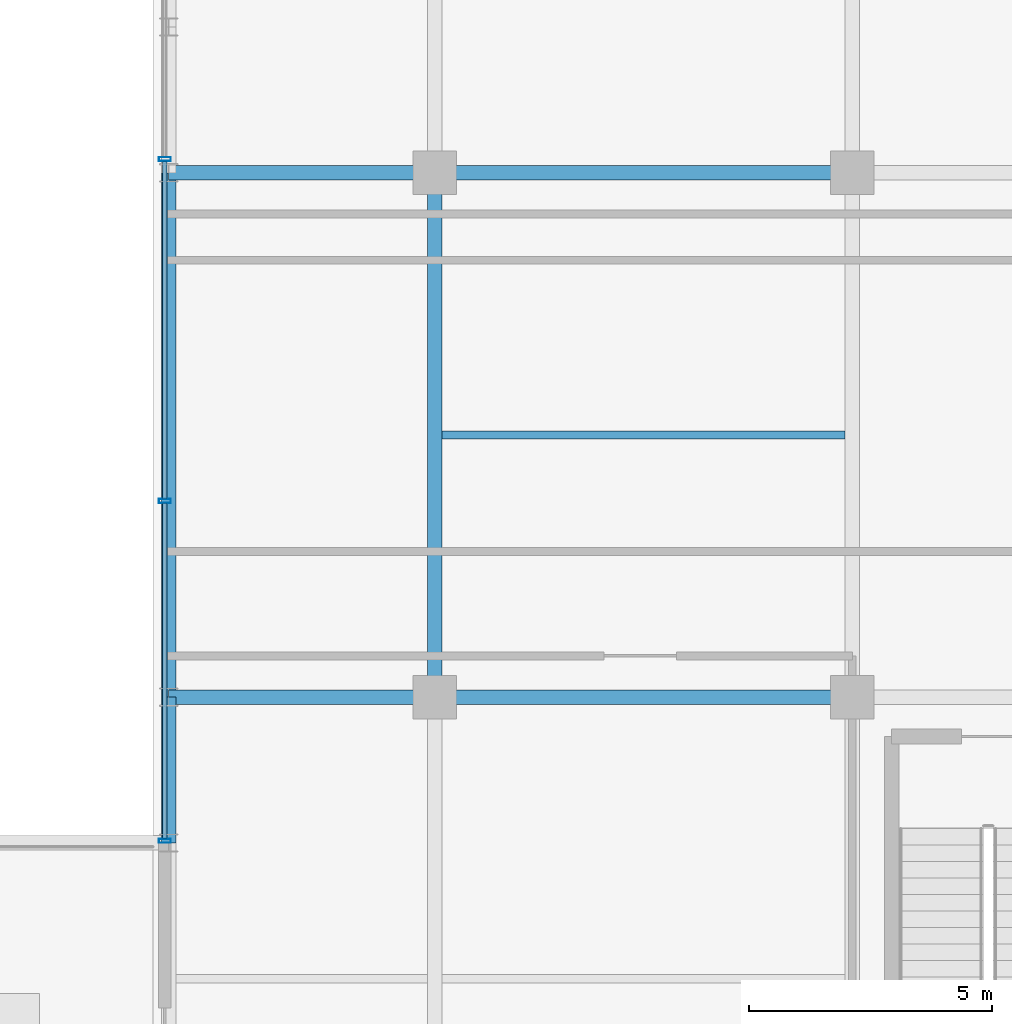
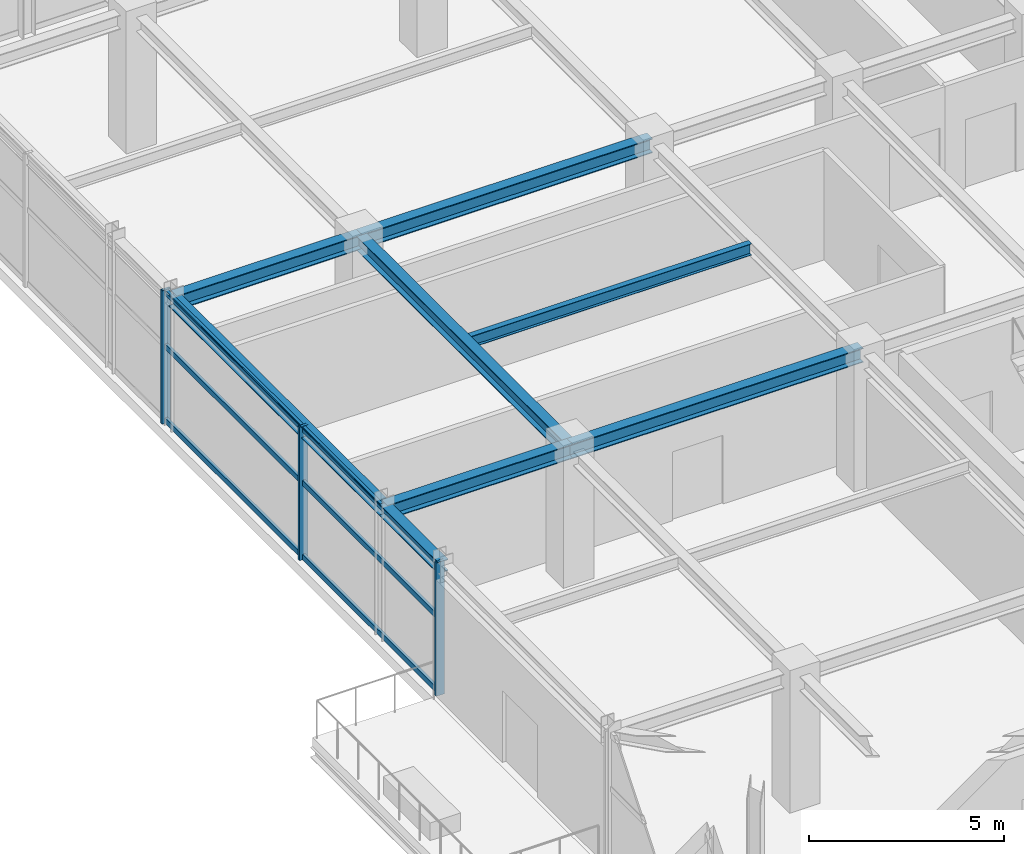
# One storey, part 8 of 25: 9 members, 8 beams, 1 element without a shape of its own.
"""IFC4 building model written with IfcOpenShell, lengths in metres."""

from ifc_helpers import new_model, si_unit, direction, frame, origin, origin_2d, place, context, subcontext, project, spatial, hollow_rectangle, i_section, extrude, source, transform, mapped, material, material_profile, profile_set, type_object, element, aggregate, save


model = new_model("IFC4")

# Units and contexts
model_context = context("Model", 3, precision=1e-05, world=origin(), true_north=direction((0.0, 1.0)))
body_context = subcontext(model_context, "Body", "Model", "MODEL_VIEW")
ifc_project = project(units=[si_unit("LENGTHUNIT", "METRE"), si_unit("AREAUNIT", "SQUARE_METRE"), si_unit("VOLUMEUNIT", "CUBIC_METRE"), si_unit("PLANEANGLEUNIT", "RADIAN"), si_unit("MASSUNIT", "GRAM", prefix="KILO")], contexts=[model_context])

# Site, building, storey
site_placement = place(None, origin())
site = spatial("IfcSite", under=ifc_project, at=site_placement, CompositionType="ELEMENT")
building_placement = place(site_placement, origin())
building = spatial("IfcBuilding", under=site, at=building_placement, Name="Nahalor Promenade Grand Hotel", CompositionType="ELEMENT")
storey_placement = place(building_placement, frame((0.0, 0.0, 338.550048828125)))
storey = spatial("IfcBuildingStorey", under=building, at=storey_placement, Name="L87", CompositionType="ELEMENT", Elevation=338.550048828125)

# Beams
ifc_material_1 = material(Name="Steel S355JR", Category="steel")
ifc_material_profile_1 = material_profile(ifc_material_1, i_section(OverallWidth=0.3, OverallDepth=0.45, WebThickness=0.014, FlangeThickness=0.026, at=origin_2d()), Name="HEB 450")
ifc_profile_set_1 = profile_set([ifc_material_profile_1], Name="Steel S355JR")
beam_type_1 = type_object("IfcBeamType", Name="Beam-Girder-HEB450", PredefinedType="BEAM", material=ifc_profile_set_1)
shared_shape_1 = source(origin(), body_context, "Body", "SweptSolid", [
    extrude(i_section(OverallWidth=0.3, OverallDepth=0.45, WebThickness=0.014, FlangeThickness=0.026, at=origin_2d()), origin(), (0.0, 0.0, 1.0), 8.60009765625),
])
for number, where, z_axis, x_axis, name in (
    (1, (-17.0, -5.39990234375, 3.945068359375), (1.0, 0.0, 0.0), (0.0, 1.0, 0.0), "BM-L87-GX-1-1"),
    (2, (-17.0, 5.39990234375, 3.945068359375), (1.0, 0.0, 0.0), (0.0, 1.0, 0.0), "BM-L87-GX-2-1"),
):
    element("IfcBeam", number, at=place(storey_placement, frame(where, z_axis=z_axis, x_axis=x_axis)), inside=storey, type_object=beam_type_1, Name=name, PredefinedType="BEAM", context=body_context, shape_type="MappedRepresentation", body=[
        mapped(shared_shape_1, transform((0.0, 0.0, 0.0), scale=1.0)),
    ])
shared_shape_2 = source(origin(), body_context, "Body", "SweptSolid", [
    extrude(i_section(OverallWidth=0.3, OverallDepth=0.45, WebThickness=0.014, FlangeThickness=0.026, at=origin_2d()), origin(), (0.0, 0.0, 1.0), 10.7998046875),
])
beam_1_placement = place(storey_placement, frame((-17.0, -5.39990234375, 3.945068359375), z_axis=(0.0, 1.0, 0.0), x_axis=(-1.0, 0.0, 0.0)))
element("IfcBeam", 3, at=beam_1_placement, inside=storey, type_object=beam_type_1, Name="BM-L87-GY-0-2", PredefinedType="BEAM", context=body_context, shape_type="MappedRepresentation", body=[
    mapped(shared_shape_2, transform((0.0, 0.0, 0.0), scale=1.0)),
])
shared_shape_3 = source(origin(), body_context, "Body", "SweptSolid", [
    extrude(i_section(OverallWidth=0.3, OverallDepth=0.45, WebThickness=0.014, FlangeThickness=0.026, at=origin_2d()), origin(), (0.0, 0.0, 1.0), 5.47998046875),
])
for number, where, z_axis, x_axis, name in (
    (4, (-22.47998046875, -5.39990234375, 3.945068359375), (1.0, 0.0, 0.0), (0.0, 1.0, 0.0), "BM-L87-GX-1-0"),
    (5, (-22.47998046875, 5.39990234375, 3.945068359375), (1.0, 0.0, 0.0), (0.0, 1.0, 0.0), "BM-L87-GX-2-0"),
):
    element("IfcBeam", number, at=place(storey_placement, frame(where, z_axis=z_axis, x_axis=x_axis)), inside=storey, type_object=beam_type_1, Name=name, PredefinedType="BEAM", context=body_context, shape_type="MappedRepresentation", body=[
        mapped(shared_shape_3, transform((0.0, 0.0, 0.0), scale=1.0)),
    ])
ifc_material_profile_2 = material_profile(ifc_material_1, i_section(OverallWidth=0.3, OverallDepth=0.36, WebThickness=0.0125, FlangeThickness=0.0225, at=origin_2d()), Name="HEB 360")
ifc_profile_set_2 = profile_set([ifc_material_profile_2], Name="Steel S355JR")
beam_type_2 = type_object("IfcBeamType", Name="Beam-Spandrel-HEB360", PredefinedType="SPANDREL", material=ifc_profile_set_2)
shared_shape_4 = source(origin(), body_context, "Body", "SweptSolid", [
    extrude(i_section(OverallWidth=0.3, OverallDepth=0.36, WebThickness=0.0125, FlangeThickness=0.0225, at=origin_2d()), origin(), (0.0, 0.0, 1.0), 3.0),
])
beam_2_placement = place(storey_placement, frame((-22.47998046875, -8.39990234375, 3.989990234375), z_axis=(0.0, 1.0, 0.0), x_axis=(-1.0, 0.0, 0.0)))
element("IfcBeam", 6, at=beam_2_placement, inside=storey, type_object=beam_type_2, Name="BM-L87-SP-W-1", PredefinedType="SPANDREL", context=body_context, shape_type="MappedRepresentation", body=[
    mapped(shared_shape_4, transform((0.0, 0.0, 0.0), scale=1.0)),
])
shared_shape_5 = source(origin(), body_context, "Body", "SweptSolid", [
    extrude(i_section(OverallWidth=0.3, OverallDepth=0.36, WebThickness=0.0125, FlangeThickness=0.0225, at=origin_2d()), origin(), (0.0, 0.0, 1.0), 10.7998046875),
])
beam_3_placement = place(storey_placement, frame((-22.47998046875, -5.39990234375, 3.989990234375), z_axis=(0.0, 1.0, 0.0), x_axis=(-1.0, 0.0, 0.0)))
element("IfcBeam", 7, at=beam_3_placement, inside=storey, type_object=beam_type_2, Name="BM-L87-SP-W-2", PredefinedType="SPANDREL", context=body_context, shape_type="MappedRepresentation", body=[
    mapped(shared_shape_5, transform((0.0, 0.0, 0.0), scale=1.0)),
])
ifc_material_profile_3 = material_profile(ifc_material_1, i_section(OverallWidth=0.17, OverallDepth=0.36, WebThickness=0.008, FlangeThickness=0.0127, at=origin_2d()), Name="IPE 360")
ifc_profile_set_3 = profile_set([ifc_material_profile_3], Name="Steel S355JR")
beam_type_3 = type_object("IfcBeamType", Name="Beam-Joist-IPE360", PredefinedType="JOIST", material=ifc_profile_set_3)
shared_shape_6 = source(origin(), body_context, "Body", "SweptSolid", [
    extrude(i_section(OverallWidth=0.17, OverallDepth=0.36, WebThickness=0.008, FlangeThickness=0.0127, at=origin_2d()), origin(), (0.0, 0.0, 1.0), 8.300048828125),
])
beam_4_placement = place(storey_placement, frame((-16.85009765625, 0.0, 3.989990234375), z_axis=(1.0, 0.0, 0.0), x_axis=(0.0, 1.0, 0.0)))
element("IfcBeam", 8, at=beam_4_placement, inside=storey, type_object=beam_type_3, Name="BM-L87-JSC-0", PredefinedType="JOIST", context=body_context, shape_type="MappedRepresentation", body=[
    mapped(shared_shape_6, transform((0.0, 0.0, 0.0), scale=1.0)),
])

# Curtain wall, members
ifc_material_2 = material(Name="Anodised Bronze Aluminium EN AW-6063 T6", Category="aluminium")
curtain_wall_type = type_object("IfcCurtainWallType", Name="CW5 Sky-Lobby & Observation Panoramic Curtain Wall", PredefinedType="USERDEFINED", material=ifc_material_2)
curtain_wall_placement = place(storey_placement, origin())
curtain_wall = element("IfcCurtainWall", 9, at=curtain_wall_placement, inside=storey, type_object=curtain_wall_type, Name="L87 Curtain Wall CW-L87-W-3", ObjectType="UNITISED_CURTAIN_WALL", PredefinedType="USERDEFINED")
ifc_material_profile_4 = material_profile(ifc_material_2, hollow_rectangle(XDim=0.085, YDim=0.25, WallThickness=0.006, at=origin_2d()), Name="CWM 85x250x6")
ifc_profile_set_4 = profile_set([ifc_material_profile_4], Name="Anodised Bronze Aluminium EN AW-6063 T6")
member_type_1 = type_object("IfcMemberType", Name="CWM5 Panoramic Deep Mullion 85x250", PredefinedType="MULLION", material=ifc_profile_set_4)
shared_shape_7 = source(origin(), body_context, "Body", "SweptSolid", [
    extrude(hollow_rectangle(XDim=0.085, YDim=0.25, WallThickness=0.006, at=origin_2d()), origin(), (0.0, 0.0, 1.0), 4.169921875),
])
member_1_placement = place(storey_placement, frame((-22.56005859375, -8.357421875, 0.0), z_axis=(0.0, 0.0, 1.0), x_axis=(0.0, 1.0, 0.0)))
member_1 = element("IfcMember", 10, at=member_1_placement, type_object=member_type_1, Name="CW-L87-W-3 Mullion 0", PredefinedType="MULLION", context=body_context, shape_type="MappedRepresentation", body=[
    mapped(shared_shape_7, transform((0.0, 0.0, 0.0), scale=1.0)),
])
member_2_placement = place(storey_placement, frame((-22.56005859375, -1.360107421875, 0.0), z_axis=(0.0, 0.0, 1.0), x_axis=(0.0, 1.0, 0.0)))
member_2 = element("IfcMember", 11, at=member_2_placement, type_object=member_type_1, Name="CW-L87-W-3 Mullion 1", PredefinedType="MULLION", context=body_context, shape_type="MappedRepresentation", body=[
    mapped(shared_shape_7, transform((0.0, 0.0, 0.0), scale=1.0)),
])
member_3_placement = place(storey_placement, frame((-22.56005859375, 5.679931640625, 0.0), z_axis=(0.0, 0.0, 1.0), x_axis=(0.0, 1.0, 0.0)))
member_3 = element("IfcMember", 12, at=member_3_placement, type_object=member_type_1, Name="CW-L87-W-3 Mullion 2", PredefinedType="MULLION", context=body_context, shape_type="MappedRepresentation", body=[
    mapped(shared_shape_7, transform((0.0, 0.0, 0.0), scale=1.0)),
])
ifc_material_profile_5 = material_profile(ifc_material_2, hollow_rectangle(XDim=0.085, YDim=0.17, WallThickness=0.005, at=origin_2d()), Name="CWT 85x170x5")
ifc_profile_set_5 = profile_set([ifc_material_profile_5], Name="Anodised Bronze Aluminium EN AW-6063 T6")
member_type_2 = type_object("IfcMemberType", Name="CWT5 Panoramic Transom 85x170", PredefinedType="USERDEFINED", material=ifc_profile_set_5)
shared_shape_8 = source(origin(), body_context, "Body", "SweptSolid", [
    extrude(hollow_rectangle(XDim=0.085, YDim=0.17, WallThickness=0.005, at=origin_2d()), origin(), (0.0, 0.0, 1.0), 6.912353515625),
])
member_4_placement = place(storey_placement, frame((-22.56005859375, -8.31494140625, 0.0849609375), z_axis=(0.0, 1.0, 0.0), x_axis=(-1.0, 0.0, 0.0)))
member_4 = element("IfcMember", 13, at=member_4_placement, type_object=member_type_2, Name="CW-L87-W-3 Transom 0-0", ObjectType="TRANSOM", PredefinedType="USERDEFINED", context=body_context, shape_type="MappedRepresentation", body=[
    mapped(shared_shape_8, transform((0.0, 0.0, 0.0), scale=1.0)),
])
member_5_placement = place(storey_placement, frame((-22.56005859375, -8.31494140625, 2.39990234375), z_axis=(0.0, 1.0, 0.0), x_axis=(-1.0, 0.0, 0.0)))
member_5 = element("IfcMember", 14, at=member_5_placement, type_object=member_type_2, Name="CW-L87-W-3 Transom 0-1", ObjectType="TRANSOM", PredefinedType="USERDEFINED", context=body_context, shape_type="MappedRepresentation", body=[
    mapped(shared_shape_8, transform((0.0, 0.0, 0.0), scale=1.0)),
])
member_6_placement = place(storey_placement, frame((-22.56005859375, -8.31494140625, 4.0849609375), z_axis=(0.0, 1.0, 0.0), x_axis=(-1.0, 0.0, 0.0)))
member_6 = element("IfcMember", 15, at=member_6_placement, type_object=member_type_2, Name="CW-L87-W-3 Transom 0-2", ObjectType="TRANSOM", PredefinedType="USERDEFINED", context=body_context, shape_type="MappedRepresentation", body=[
    mapped(shared_shape_8, transform((0.0, 0.0, 0.0), scale=1.0)),
])
shared_shape_9 = source(origin(), body_context, "Body", "SweptSolid", [
    extrude(hollow_rectangle(XDim=0.085, YDim=0.17, WallThickness=0.005, at=origin_2d()), origin(), (0.0, 0.0, 1.0), 6.954833984375),
])
member_7_placement = place(storey_placement, frame((-22.56005859375, -1.3173828125, 0.0849609375), z_axis=(0.0, 1.0, 0.0), x_axis=(-1.0, 0.0, 0.0)))
member_7 = element("IfcMember", 16, at=member_7_placement, type_object=member_type_2, Name="CW-L87-W-3 Transom 1-0", ObjectType="TRANSOM", PredefinedType="USERDEFINED", context=body_context, shape_type="MappedRepresentation", body=[
    mapped(shared_shape_9, transform((0.0, 0.0, 0.0), scale=1.0)),
])
member_8_placement = place(storey_placement, frame((-22.56005859375, -1.3173828125, 2.39990234375), z_axis=(0.0, 1.0, 0.0), x_axis=(-1.0, 0.0, 0.0)))
member_8 = element("IfcMember", 17, at=member_8_placement, type_object=member_type_2, Name="CW-L87-W-3 Transom 1-1", ObjectType="TRANSOM", PredefinedType="USERDEFINED", context=body_context, shape_type="MappedRepresentation", body=[
    mapped(shared_shape_9, transform((0.0, 0.0, 0.0), scale=1.0)),
])
member_9_placement = place(storey_placement, frame((-22.56005859375, -1.3173828125, 4.0849609375), z_axis=(0.0, 1.0, 0.0), x_axis=(-1.0, 0.0, 0.0)))
member_9 = element("IfcMember", 18, at=member_9_placement, type_object=member_type_2, Name="CW-L87-W-3 Transom 1-2", ObjectType="TRANSOM", PredefinedType="USERDEFINED", context=body_context, shape_type="MappedRepresentation", body=[
    mapped(shared_shape_9, transform((0.0, 0.0, 0.0), scale=1.0)),
])
aggregate(curtain_wall, [member_1, member_2, member_3, member_4, member_5, member_6, member_7, member_8, member_9])

save(model, "model.ifc")
